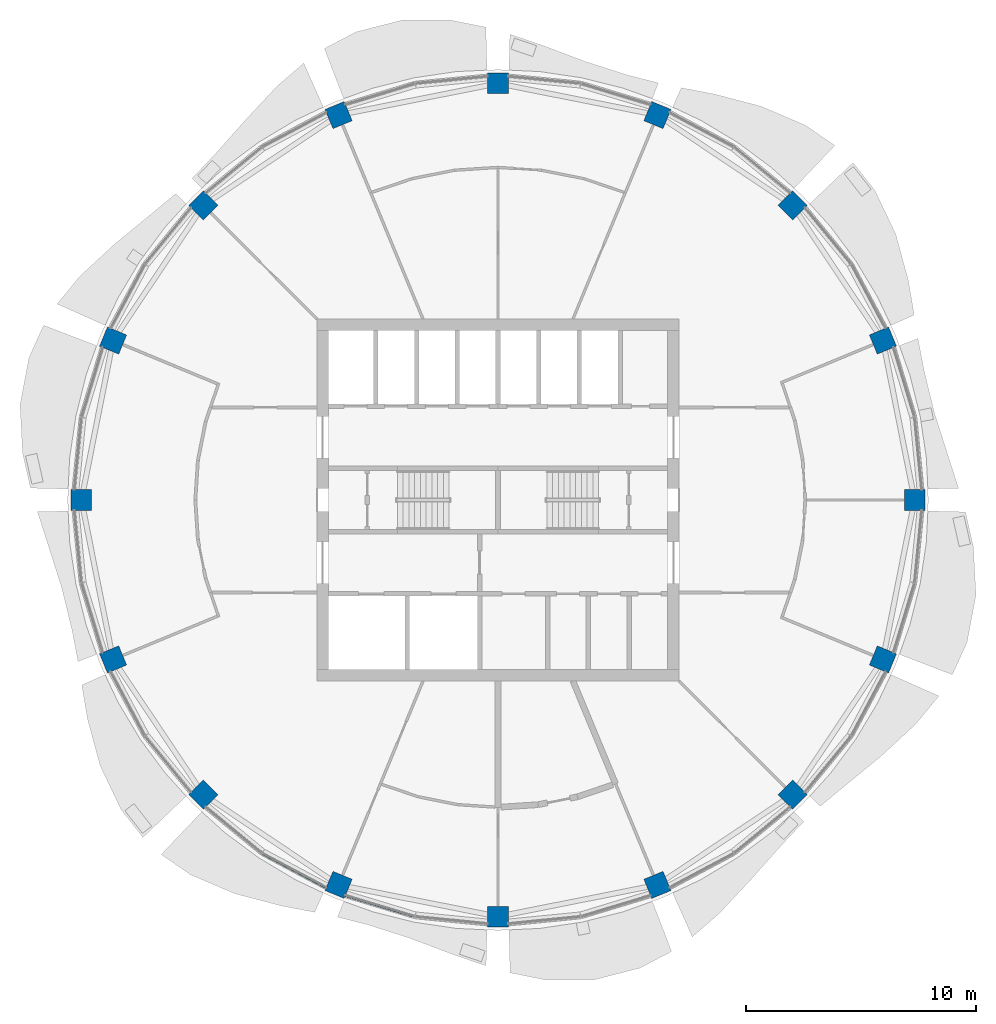
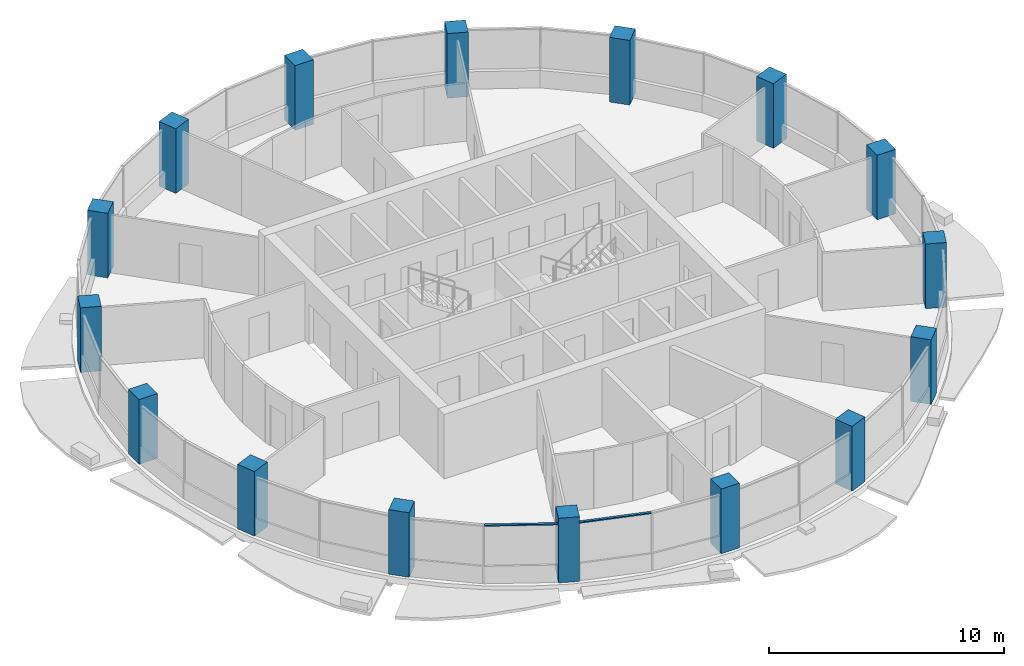
# One storey, part 1 of 15: 16 columns, 2 members, 2 elements without a shape of their own.
"""IFC4 building model written with IfcOpenShell, lengths in metres."""

from ifc_helpers import new_model, si_unit, direction, frame, origin, origin_2d, place, context, subcontext, project, spatial, rectangle, extrude, material, material_profile, profile_set, type_object, element, aggregate, save


model = new_model("IFC4")

# Units and contexts
model_context = context("Model", 3, precision=1e-05, world=origin(), true_north=direction((0.0, 1.0)))
body_context = subcontext(model_context, "Body", "Model", "MODEL_VIEW")
ifc_project = project(units=[si_unit("LENGTHUNIT", "METRE"), si_unit("AREAUNIT", "SQUARE_METRE"), si_unit("VOLUMEUNIT", "CUBIC_METRE"), si_unit("PLANEANGLEUNIT", "RADIAN"), si_unit("MASSUNIT", "GRAM", prefix="KILO")], contexts=[model_context])

# Site, building, storey
site_placement = place(None, origin())
site = spatial("IfcSite", under=ifc_project, at=site_placement, CompositionType="ELEMENT")
building_placement = place(site_placement, origin())
building = spatial("IfcBuilding", under=site, at=building_placement, Name="Polderwave Tower", CompositionType="ELEMENT")
storey_placement = place(building_placement, frame((0.0, 0.0, 167.550048828125)))
storey = spatial("IfcBuildingStorey", under=building, at=storey_placement, Name="L44", CompositionType="ELEMENT", Elevation=167.550048828125)

# Columns
ifc_material_1 = material(Name="Concrete C60/75", Category="concrete")
ifc_material_profile_1 = material_profile(ifc_material_1, rectangle(XDim=0.89990234375, YDim=0.89990234375, at=origin_2d()), Name="RC 900x900")
ifc_profile_set_1 = profile_set([ifc_material_profile_1], Name="Concrete C60/75")
column_type = type_object("IfcColumnType", Name="RC COLUMN 900x900 C60/75", PredefinedType="COLUMN", material=ifc_profile_set_1)
for number, where, z_axis, x_axis, name in (
    (1, (18.10009765625, 0.0, 0.0), (0.0, 0.0, 1.0), (1.0, 0.0, 0.0), "Ring column 01"),
    (2, (16.72216796875, 6.926513671875, 0.0), (0.0, 0.0, 1.0), (0.923879532511, 0.382683432365, 0.0), "Ring column 02"),
    (3, (12.798583984375, 12.798583984375, 0.0), (0.0, 0.0, 1.0), (0.707106781187, 0.707106781187, 0.0), "Ring column 03"),
    (4, (6.926513671875, 16.72216796875, 0.0), (0.0, 0.0, 1.0), (0.382683432365, 0.923879532511, 0.0), "Ring column 04"),
    (5, (0.0, 18.10009765625, 0.0), (0.0, 0.0, 1.0), (0.0, 1.0, 0.0), "Ring column 05"),
    (6, (-6.926513671875, 16.72216796875, 0.0), (0.0, 0.0, 1.0), (-0.382683432365, 0.923879532511, 0.0), "Ring column 06"),
    (7, (-12.798583984375, 12.798583984375, 0.0), (0.0, 0.0, 1.0), (-0.707106781187, 0.707106781187, 0.0), "Ring column 07"),
    (8, (-16.72216796875, 6.926513671875, 0.0), (0.0, 0.0, 1.0), (-0.923879532511, 0.382683432365, 0.0), "Ring column 08"),
    (9, (-18.10009765625, 0.0, 0.0), (0.0, 0.0, 1.0), (-1.0, 0.0, 0.0), "Ring column 09"),
    (10, (-16.72216796875, -6.926513671875, 0.0), (0.0, 0.0, 1.0), (-0.923879532511, -0.382683432365, 0.0), "Ring column 10"),
    (11, (-12.798583984375, -12.798583984375, 0.0), (0.0, 0.0, 1.0), (-0.707106781187, -0.707106781187, 0.0), "Ring column 11"),
    (12, (-6.926513671875, -16.72216796875, 0.0), (0.0, 0.0, 1.0), (-0.382683432365, -0.923879532511, 0.0), "Ring column 12"),
    (13, (0.0, -18.10009765625, 0.0), (0.0, 0.0, 1.0), (0.0, -1.0, 0.0), "Ring column 13"),
    (14, (6.926513671875, -16.72216796875, 0.0), (0.0, 0.0, 1.0), (0.382683432365, -0.923879532511, 0.0), "Ring column 14"),
    (15, (12.798583984375, -12.798583984375, 0.0), (0.0, 0.0, 1.0), (0.707106781187, -0.707106781187, 0.0), "Ring column 15"),
    (16, (16.72216796875, -6.926513671875, 0.0), (0.0, 0.0, 1.0), (0.923879532511, -0.382683432365, 0.0), "Ring column 16"),
):
    element("IfcColumn", number, at=place(storey_placement, frame(where, z_axis=z_axis, x_axis=x_axis)), inside=storey, type_object=column_type, Name=name, PredefinedType="COLUMN", context=body_context, shape_type="SweptSolid", body=[
        extrude(rectangle(XDim=0.89990234375, YDim=0.89990234375, at=origin_2d()), origin(), (0.0, 0.0, 1.0), 3.349853515625),
    ])

# Curtain wall, member
ifc_material_2 = material(Name="Aluminium 6063-T6 and glass", Category="aluminium")
curtain_wall_type = type_object("IfcCurtainWallType", Name="Office ribbon glazing wall", PredefinedType="NOTDEFINED", material=ifc_material_2)
curtain_wall_1_placement = place(storey_placement, origin())
curtain_wall_1 = element("IfcCurtainWall", 17, at=curtain_wall_1_placement, inside=storey, type_object=curtain_wall_type, Name="CW3 L44 10", PredefinedType="NOTDEFINED")
ifc_material_3 = material(Name="Aluminium 6063-T6", Category="aluminium")
ifc_material_profile_2 = material_profile(ifc_material_3, rectangle(XDim=0.1201171875, YDim=0.06005859375, at=origin_2d()), Name="AL 60x120")
ifc_profile_set_2 = profile_set([ifc_material_profile_2], Name="Aluminium 6063-T6")
member_type = type_object("IfcMemberType", Name="Office ribbon glazing transom 60x120", PredefinedType="USERDEFINED", material=ifc_profile_set_2)
member_1_placement = place(storey_placement, frame((-10.2255859375, -15.35400390625, 2.969970703125), z_axis=(0.882020915121, -0.471210255925, 0.0), x_axis=(0.471210255925, 0.882020915121, 0.0)))
member_1 = element("IfcMember", 18, at=member_1_placement, type_object=member_type, Name="CW3 transom 2", ObjectType="TRANSOM", PredefinedType="USERDEFINED", context=body_context, shape_type="SweptSolid", body=[
    extrude(rectangle(XDim=0.1201171875, YDim=0.06005859375, at=origin_2d()), origin(), (0.0, 0.0, 1.0), 3.13671875),
])
aggregate(curtain_wall_1, [member_1])

curtain_wall_2_placement = place(storey_placement, origin())
curtain_wall_2 = element("IfcCurtainWall", 19, at=curtain_wall_2_placement, inside=storey, type_object=curtain_wall_type, Name="CW3 L44 11", PredefinedType="NOTDEFINED")
member_2_placement = place(storey_placement, frame((-6.6279296875, -17.177001953125, 2.969970703125), z_axis=(0.957023749989, -0.29000955494, 0.0), x_axis=(0.29000955494, 0.957023749989, 0.0)))
member_2 = element("IfcMember", 20, at=member_2_placement, type_object=member_type, Name="CW3 transom 1", ObjectType="TRANSOM", PredefinedType="USERDEFINED", context=body_context, shape_type="SweptSolid", body=[
    extrude(rectangle(XDim=0.1201171875, YDim=0.06005859375, at=origin_2d()), origin(), (0.0, 0.0, 1.0), 3.137451171875),
])
aggregate(curtain_wall_2, [member_2])

save(model, "model.ifc")
